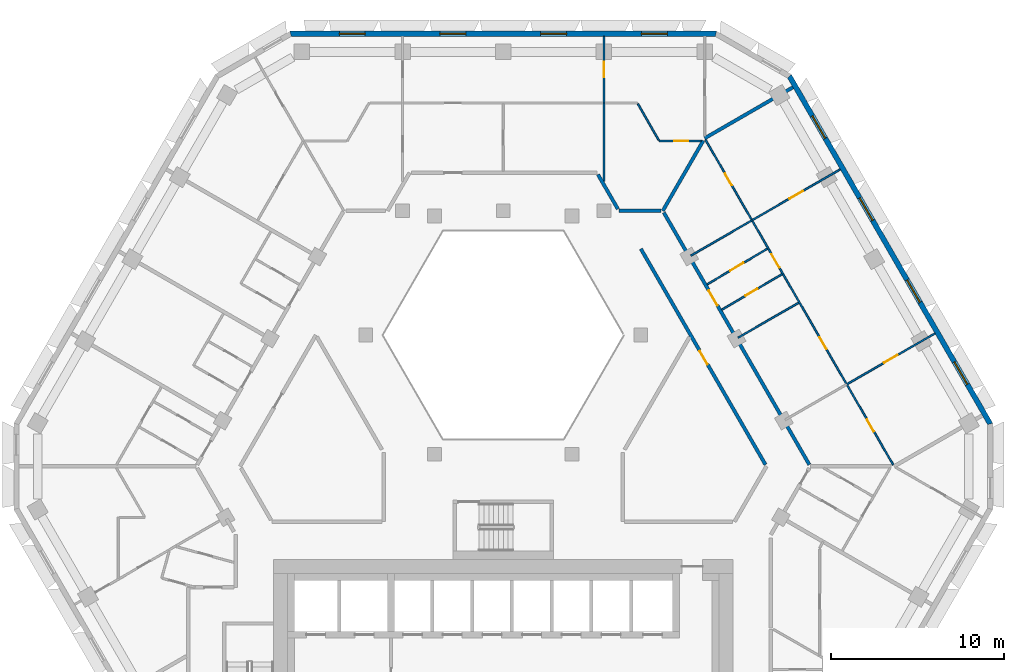
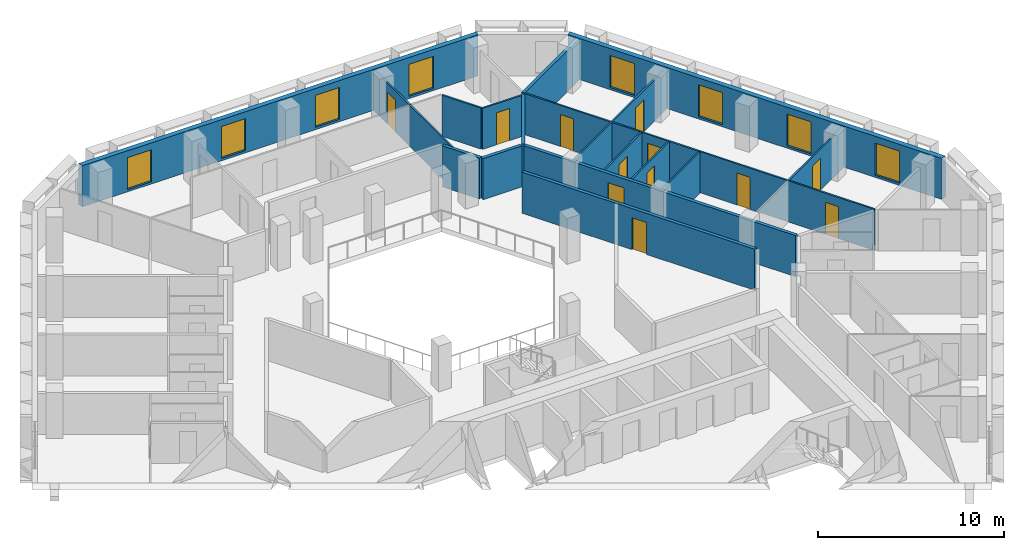
# One storey, part 8 of 15: 19 walls, 12 doors, 8 windows, 20 openings.
"""IFC4 building model written with IfcOpenShell, lengths in metres."""

from ifc_helpers import new_model, si_unit, direction, frame, frame_2d, origin, place, context, subcontext, project, spatial, polyline, rectangle, outline, extrude, material, layer, layer_set, type_object, element, fill, save


model = new_model("IFC4")

# Units and contexts
model_context = context("Model", 3, precision=1e-05, world=origin(), true_north=direction((0.0, 1.0)))
body_context = subcontext(model_context, "Body", "Model", "MODEL_VIEW")
ifc_project = project(units=[si_unit("LENGTHUNIT", "METRE"), si_unit("AREAUNIT", "SQUARE_METRE"), si_unit("VOLUMEUNIT", "CUBIC_METRE"), si_unit("PLANEANGLEUNIT", "RADIAN"), si_unit("MASSUNIT", "GRAM", prefix="KILO")], contexts=[model_context])

# Site, building, storey
site_placement = place(None, origin())
site = spatial("IfcSite", under=ifc_project, at=site_placement, CompositionType="ELEMENT")
building_placement = place(site_placement, origin())
building = spatial("IfcBuilding", under=site, at=building_placement, Name="Beryl Residences", CompositionType="ELEMENT")
storey_placement = place(building_placement, frame((0.0, 0.0, 147.60009765625)))
storey = spatial("IfcBuildingStorey", under=building, at=storey_placement, Name="L45", CompositionType="ELEMENT", Elevation=147.60009765625)

# Wall, openings, windows
ifc_material_1 = material(Name="Composite metal panel with mineral wool insulation")
ifc_layer_1 = layer(ifc_material_1, 0.300048828125)
ifc_layer_set_1 = layer_set([ifc_layer_1], Name="ES1 pale metal composite panel wall 300 mm")
wall_type_1 = type_object("IfcWallType", Name="ES1 pale metal composite panel wall 300 mm", PredefinedType="SOLIDWALL", material=ifc_layer_set_1)
wall_1_placement = place(storey_placement, frame((12.35498046875, 25.449951171875, 0.0), z_axis=(0.0, 0.0, 1.0), x_axis=(-1.0, 0.0, 0.0)))
wall_1 = element("IfcWall", 1, at=wall_1_placement, inside=storey, type_object=wall_type_1, Name="ES1 external wall L45 N", PredefinedType="SOLIDWALL", context=body_context, shape_type="SweptSolid", body=[
    extrude(outline(polyline([(0.0, -0.14990234375), (24.7099609375, -0.14990234375), (24.629638671875, 0.14990234375), (0.080322265625, 0.14990234375), (0.0, -0.14990234375)])), origin(), (0.0, 0.0, 1.0), 2.699951171875),
])
opening_1_placement = place(wall_1_placement, frame((2.85791015625, 0.0, 0.14990234375)))
opening_1 = element("IfcOpeningElement", 2, at=opening_1_placement, cuts=wall_1, Name="Opening W1", PredefinedType="OPENING", context=body_context, shape_type="SweptSolid", body=[
    extrude(rectangle(XDim=1.5, YDim=2.10009765625, at=frame_2d((0.75, 1.050048828125))), frame((0.0, 0.159912109375, 0.0), z_axis=(0.0, -1.0, 0.0), x_axis=(1.0, 0.0, 0.0)), (0.0, 0.0, 1.0), 0.320068359375),
])
opening_2_placement = place(wall_1_placement, frame((8.68896484375, 0.0, 0.14990234375)))
opening_2 = element("IfcOpeningElement", 3, at=opening_2_placement, cuts=wall_1, Name="Opening W1", PredefinedType="OPENING", context=body_context, shape_type="SweptSolid", body=[
    extrude(rectangle(XDim=1.5, YDim=2.10009765625, at=frame_2d((0.75, 1.050048828125))), frame((0.0, 0.159912109375, 0.0), z_axis=(0.0, -1.0, 0.0), x_axis=(1.0, 0.0, 0.0)), (0.0, 0.0, 1.0), 0.320068359375),
])
opening_3_placement = place(wall_1_placement, frame((14.52099609375, 0.0, 0.14990234375)))
opening_3 = element("IfcOpeningElement", 4, at=opening_3_placement, cuts=wall_1, Name="Opening W1", PredefinedType="OPENING", context=body_context, shape_type="SweptSolid", body=[
    extrude(rectangle(XDim=1.5, YDim=2.10009765625, at=frame_2d((0.75, 1.050048828125))), frame((0.0, 0.159912109375, 0.0), z_axis=(0.0, -1.0, 0.0), x_axis=(1.0, 0.0, 0.0)), (0.0, 0.0, 1.0), 0.320068359375),
])
opening_4_placement = place(wall_1_placement, frame((20.35205078125, 0.0, 0.14990234375)))
opening_4 = element("IfcOpeningElement", 5, at=opening_4_placement, cuts=wall_1, Name="Opening W1", PredefinedType="OPENING", context=body_context, shape_type="SweptSolid", body=[
    extrude(rectangle(XDim=1.5, YDim=2.10009765625, at=frame_2d((0.75, 1.050048828125))), frame((0.0, 0.159912109375, 0.0), z_axis=(0.0, -1.0, 0.0), x_axis=(1.0, 0.0, 0.0)), (0.0, 0.0, 1.0), 0.320068359375),
])
ifc_material_2 = material(Name="Aluminium and clear glass", Category="aluminium")
window_type = type_object("IfcWindowType", Name="W1 cell window 1500 x 2100 mm", PartitioningType="SINGLE_PANEL", PredefinedType="WINDOW", material=ifc_material_2)
window_1_placement = place(opening_1_placement, origin())
window_1 = element("IfcWindow", 6, at=window_1_placement, inside=storey, type_object=window_type, Name="W1 window L45 N 2", OverallHeight=2.10009765625, OverallWidth=1.5, PartitioningType="SINGLE_PANEL", PredefinedType="WINDOW", context=body_context, shape_type="SweptSolid", body=[
    extrude(rectangle(XDim=1.5, YDim=2.10009765625, at=frame_2d((0.75, 1.050048828125))), frame((0.0, 0.030029296875, 0.0), z_axis=(0.0, -1.0, 0.0), x_axis=(1.0, 0.0, 0.0)), (0.0, 0.0, 1.0), 0.06005859375),
])
fill(opening_1, window_1)
window_2_placement = place(opening_2_placement, origin())
window_2 = element("IfcWindow", 7, at=window_2_placement, inside=storey, type_object=window_type, Name="W1 window L45 N 4", OverallHeight=2.10009765625, OverallWidth=1.5, PartitioningType="SINGLE_PANEL", PredefinedType="WINDOW", context=body_context, shape_type="SweptSolid", body=[
    extrude(rectangle(XDim=1.5, YDim=2.10009765625, at=frame_2d((0.75, 1.050048828125))), frame((0.0, 0.030029296875, 0.0), z_axis=(0.0, -1.0, 0.0), x_axis=(1.0, 0.0, 0.0)), (0.0, 0.0, 1.0), 0.06005859375),
])
fill(opening_2, window_2)
window_3_placement = place(opening_3_placement, origin())
window_3 = element("IfcWindow", 8, at=window_3_placement, inside=storey, type_object=window_type, Name="W1 window L45 N 6", OverallHeight=2.10009765625, OverallWidth=1.5, PartitioningType="SINGLE_PANEL", PredefinedType="WINDOW", context=body_context, shape_type="SweptSolid", body=[
    extrude(rectangle(XDim=1.5, YDim=2.10009765625, at=frame_2d((0.75, 1.050048828125))), frame((0.0, 0.030029296875, 0.0), z_axis=(0.0, -1.0, 0.0), x_axis=(1.0, 0.0, 0.0)), (0.0, 0.0, 1.0), 0.06005859375),
])
fill(opening_3, window_3)
window_4_placement = place(opening_4_placement, origin())
window_4 = element("IfcWindow", 9, at=window_4_placement, inside=storey, type_object=window_type, Name="W1 window L45 N 8", OverallHeight=2.10009765625, OverallWidth=1.5, PartitioningType="SINGLE_PANEL", PredefinedType="WINDOW", context=body_context, shape_type="SweptSolid", body=[
    extrude(rectangle(XDim=1.5, YDim=2.10009765625, at=frame_2d((0.75, 1.050048828125))), frame((0.0, 0.030029296875, 0.0), z_axis=(0.0, -1.0, 0.0), x_axis=(1.0, 0.0, 0.0)), (0.0, 0.0, 1.0), 0.06005859375),
])
fill(opening_4, window_4)

wall_2_placement = place(storey_placement, frame((28.218017578125, 2.824951171875, 0.0), z_axis=(0.0, 0.0, 1.0), x_axis=(-0.500020536353, 0.866013546791, 0.0)))
wall_2 = element("IfcWall", 10, at=wall_2_placement, inside=storey, type_object=wall_type_1, Name="ES1 external wall L45 NE", PredefinedType="SOLIDWALL", context=body_context, shape_type="SweptSolid", body=[
    extrude(outline(polyline([(0.0, -0.14990234375), (23.3251953125, -0.14990234375), (23.244873046875, 0.14990234375), (0.080322265625, 0.14990234375), (0.0, -0.14990234375)])), origin(), (0.0, 0.0, 1.0), 2.699951171875),
])
opening_5_placement = place(wall_2_placement, frame((2.68505859375, 0.0, 0.14990234375)))
opening_5 = element("IfcOpeningElement", 11, at=opening_5_placement, cuts=wall_2, Name="Opening W1", PredefinedType="OPENING", context=body_context, shape_type="SweptSolid", body=[
    extrude(rectangle(XDim=1.5, YDim=2.10009765625, at=frame_2d((0.75, 1.050048828125))), frame((0.0, 0.159912109375, 0.0), z_axis=(0.0, -1.0, 0.0), x_axis=(1.0, 0.0, 0.0)), (0.0, 0.0, 1.0), 0.320068359375),
])
opening_6_placement = place(wall_2_placement, frame((8.169921875, 0.0, 0.14990234375)))
opening_6 = element("IfcOpeningElement", 12, at=opening_6_placement, cuts=wall_2, Name="Opening W1", PredefinedType="OPENING", context=body_context, shape_type="SweptSolid", body=[
    extrude(rectangle(XDim=1.5, YDim=2.10009765625, at=frame_2d((0.75, 1.050048828125))), frame((0.0, 0.159912109375, 0.0), z_axis=(0.0, -1.0, 0.0), x_axis=(1.0, 0.0, 0.0)), (0.0, 0.0, 1.0), 0.320068359375),
])
opening_7_placement = place(wall_2_placement, frame((13.655029296875, 0.0, 0.14990234375)))
opening_7 = element("IfcOpeningElement", 13, at=opening_7_placement, cuts=wall_2, Name="Opening W1", PredefinedType="OPENING", context=body_context, shape_type="SweptSolid", body=[
    extrude(rectangle(XDim=1.5, YDim=2.10009765625, at=frame_2d((0.75, 1.050048828125))), frame((0.0, 0.159912109375, 0.0), z_axis=(0.0, -1.0, 0.0), x_axis=(1.0, 0.0, 0.0)), (0.0, 0.0, 1.0), 0.320068359375),
])
opening_8_placement = place(wall_2_placement, frame((19.139892578125, 0.0, 0.14990234375)))
opening_8 = element("IfcOpeningElement", 14, at=opening_8_placement, cuts=wall_2, Name="Opening W1", PredefinedType="OPENING", context=body_context, shape_type="SweptSolid", body=[
    extrude(rectangle(XDim=1.5, YDim=2.10009765625, at=frame_2d((0.75, 1.050048828125))), frame((0.0, 0.159912109375, 0.0), z_axis=(0.0, -1.0, 0.0), x_axis=(1.0, 0.0, 0.0)), (0.0, 0.0, 1.0), 0.320068359375),
])
window_5_placement = place(opening_5_placement, origin())
window_5 = element("IfcWindow", 15, at=window_5_placement, inside=storey, type_object=window_type, Name="W1 window L45 NE 2", OverallHeight=2.10009765625, OverallWidth=1.5, PartitioningType="SINGLE_PANEL", PredefinedType="WINDOW", context=body_context, shape_type="SweptSolid", body=[
    extrude(rectangle(XDim=1.5, YDim=2.10009765625, at=frame_2d((0.75, 1.050048828125))), frame((0.0, 0.030029296875, 0.0), z_axis=(0.0, -1.0, 0.0), x_axis=(1.0, 0.0, 0.0)), (0.0, 0.0, 1.0), 0.06005859375),
])
fill(opening_5, window_5)
window_6_placement = place(opening_6_placement, origin())
window_6 = element("IfcWindow", 16, at=window_6_placement, inside=storey, type_object=window_type, Name="W1 window L45 NE 4", OverallHeight=2.10009765625, OverallWidth=1.5, PartitioningType="SINGLE_PANEL", PredefinedType="WINDOW", context=body_context, shape_type="SweptSolid", body=[
    extrude(rectangle(XDim=1.5, YDim=2.10009765625, at=frame_2d((0.75, 1.050048828125))), frame((0.0, 0.030029296875, 0.0), z_axis=(0.0, -1.0, 0.0), x_axis=(1.0, 0.0, 0.0)), (0.0, 0.0, 1.0), 0.06005859375),
])
fill(opening_6, window_6)
window_7_placement = place(opening_7_placement, origin())
window_7 = element("IfcWindow", 17, at=window_7_placement, inside=storey, type_object=window_type, Name="W1 window L45 NE 6", OverallHeight=2.10009765625, OverallWidth=1.5, PartitioningType="SINGLE_PANEL", PredefinedType="WINDOW", context=body_context, shape_type="SweptSolid", body=[
    extrude(rectangle(XDim=1.5, YDim=2.10009765625, at=frame_2d((0.75, 1.050048828125))), frame((0.0, 0.030029296875, 0.0), z_axis=(0.0, -1.0, 0.0), x_axis=(1.0, 0.0, 0.0)), (0.0, 0.0, 1.0), 0.06005859375),
])
fill(opening_7, window_7)
window_8_placement = place(opening_8_placement, origin())
window_8 = element("IfcWindow", 18, at=window_8_placement, inside=storey, type_object=window_type, Name="W1 window L45 NE 8", OverallHeight=2.10009765625, OverallWidth=1.5, PartitioningType="SINGLE_PANEL", PredefinedType="WINDOW", context=body_context, shape_type="SweptSolid", body=[
    extrude(rectangle(XDim=1.5, YDim=2.10009765625, at=frame_2d((0.75, 1.050048828125))), frame((0.0, 0.030029296875, 0.0), z_axis=(0.0, -1.0, 0.0), x_axis=(1.0, 0.0, 0.0)), (0.0, 0.0, 1.0), 0.06005859375),
])
fill(opening_8, window_8)

# Wall
ifc_material_3 = material(Name="Gypsum board partition on steel studs", Category="steel")
ifc_layer_2 = layer(ifc_material_3, 0.10009765625)
ifc_layer_set_2 = layer_set([ifc_layer_2], Name="PT1 partition 100 mm gypsum board on steel studs")
wall_type_2 = type_object("IfcWallType", Name="PT1 partition 100 mm gypsum board on steel studs", PredefinedType="PARTITIONING", material=ifc_layer_set_2)
wall_3_placement = place(storey_placement, frame((7.7919921875, 21.39599609375, 0.0), z_axis=(0.0, 0.0, 1.0), x_axis=(0.50012328804, -0.865954211699, 0.0)))
element("IfcWall", 19, at=wall_3_placement, inside=storey, type_object=wall_type_2, Name="Wall PT1 L45 003", PredefinedType="PARTITIONING", context=body_context, shape_type="SweptSolid", body=[
    extrude(rectangle(XDim=2.42529296875, YDim=0.10009765625, at=frame_2d((1.212646484375, 0.0))), origin(), (0.0, 0.0, 1.0), 2.699951171875),
])

# Wall, openings, doors
wall_4_placement = place(storey_placement, frame((11.712890625, 19.31298828125, 0.0), z_axis=(0.0, 0.0, 1.0), x_axis=(0.499999523185, -0.866025679073, 0.0)))
wall_4 = element("IfcWall", 20, at=wall_4_placement, inside=storey, type_object=wall_type_2, Name="Wall PT1 L45 004", PredefinedType="PARTITIONING", context=body_context, shape_type="SweptSolid", body=[
    extrude(rectangle(XDim=21.73828125, YDim=0.10009765625, at=frame_2d((10.869140625, 0.0))), origin(), (0.0, 0.0, 1.0), 2.699951171875),
])
opening_9_placement = place(wall_4_placement, frame((7.654052734375, 0.0, 0.0)))
opening_9 = element("IfcOpeningElement", 21, at=opening_9_placement, cuts=wall_4, Name="Opening D1322", PredefinedType="OPENING", context=body_context, shape_type="SweptSolid", body=[
    extrude(rectangle(XDim=0.89990234375, YDim=2.10009765625, at=frame_2d((0.449951171875, 1.050048828125))), frame((0.0, 0.06005859375, 0.0), z_axis=(0.0, -1.0, 0.0), x_axis=(1.0, 0.0, 0.0)), (0.0, 0.0, 1.0), 0.1201171875),
])
opening_10_placement = place(wall_4_placement, frame((13.201904296875, 0.0, 0.0)))
opening_10 = element("IfcOpeningElement", 22, at=opening_10_placement, cuts=wall_4, Name="Opening D1325", PredefinedType="OPENING", context=body_context, shape_type="SweptSolid", body=[
    extrude(rectangle(XDim=0.800048828125, YDim=2.10009765625, at=frame_2d((0.39990234375, 1.050048828125))), frame((0.0, 0.06005859375, 0.0), z_axis=(0.0, -1.0, 0.0), x_axis=(1.0, 0.0, 0.0)), (0.0, 0.0, 1.0), 0.1201171875),
])
opening_11_placement = place(wall_4_placement, frame((2.241943359375, 0.0, 0.0)))
opening_11 = element("IfcOpeningElement", 23, at=opening_11_placement, cuts=wall_4, Name="Opening D1326", PredefinedType="OPENING", context=body_context, shape_type="SweptSolid", body=[
    extrude(rectangle(XDim=0.800048828125, YDim=2.10009765625, at=frame_2d((0.39990234375, 1.050048828125))), frame((0.0, 0.06005859375, 0.0), z_axis=(0.0, -1.0, 0.0), x_axis=(1.0, 0.0, 0.0)), (0.0, 0.0, 1.0), 0.1201171875),
])
opening_12_placement = place(wall_4_placement, frame((18.696044921875, 0.0, 0.0)))
opening_12 = element("IfcOpeningElement", 24, at=opening_12_placement, cuts=wall_4, Name="Opening D1327", PredefinedType="OPENING", context=body_context, shape_type="SweptSolid", body=[
    extrude(rectangle(XDim=0.800048828125, YDim=2.10009765625, at=frame_2d((0.39990234375, 1.050048828125))), frame((0.0, 0.06005859375, 0.0), z_axis=(0.0, -1.0, 0.0), x_axis=(1.0, 0.0, 0.0)), (0.0, 0.0, 1.0), 0.1201171875),
])
ifc_material_4 = material(Name="Timber door leaf", Category="wood")
door_type_1 = type_object("IfcDoorType", Name="D2 room door 900 x 2100 mm", OperationType="SINGLE_SWING_LEFT", PredefinedType="DOOR", material=ifc_material_4)
door_1_placement = place(opening_9_placement, origin())
door_1 = element("IfcDoor", 25, at=door_1_placement, inside=storey, type_object=door_type_1, Name="Door D1322 L45 001", OperationType="SINGLE_SWING_RIGHT", OverallHeight=2.10009765625, OverallWidth=0.89990234375, PredefinedType="DOOR", context=body_context, shape_type="SweptSolid", body=[
    extrude(rectangle(XDim=0.89990234375, YDim=2.10009765625, at=frame_2d((0.449951171875, 1.050048828125))), frame((0.0, 0.02490234375, 0.0), z_axis=(0.0, -1.0, 0.0), x_axis=(1.0, 0.0, 0.0)), (0.0, 0.0, 1.0), 0.050048828125),
])
fill(opening_9, door_1)
ifc_material_5 = material(Name="Timber door leaf", Category="wood")
door_type_2 = type_object("IfcDoorType", Name="D3 bathroom door 800 x 2100 mm", OperationType="SINGLE_SWING_LEFT", PredefinedType="DOOR", material=ifc_material_5)
door_2_placement = place(opening_10_placement, origin())
door_2 = element("IfcDoor", 26, at=door_2_placement, inside=storey, type_object=door_type_2, Name="Door D1325 L45 001", OperationType="SINGLE_SWING_LEFT", OverallHeight=2.10009765625, OverallWidth=0.800048828125, PredefinedType="DOOR", context=body_context, shape_type="SweptSolid", body=[
    extrude(rectangle(XDim=0.800048828125, YDim=2.10009765625, at=frame_2d((0.39990234375, 1.050048828125))), frame((0.0, 0.02490234375, 0.0), z_axis=(0.0, -1.0, 0.0), x_axis=(1.0, 0.0, 0.0)), (0.0, 0.0, 1.0), 0.050048828125),
])
fill(opening_10, door_2)
door_3_placement = place(opening_11_placement, origin())
door_3 = element("IfcDoor", 27, at=door_3_placement, inside=storey, type_object=door_type_2, Name="Door D1326 L45 001", OperationType="SINGLE_SWING_RIGHT", OverallHeight=2.10009765625, OverallWidth=0.800048828125, PredefinedType="DOOR", context=body_context, shape_type="SweptSolid", body=[
    extrude(rectangle(XDim=0.800048828125, YDim=2.10009765625, at=frame_2d((0.39990234375, 1.050048828125))), frame((0.0, 0.02490234375, 0.0), z_axis=(0.0, -1.0, 0.0), x_axis=(1.0, 0.0, 0.0)), (0.0, 0.0, 1.0), 0.050048828125),
])
fill(opening_11, door_3)
door_4_placement = place(opening_12_placement, origin())
door_4 = element("IfcDoor", 28, at=door_4_placement, inside=storey, type_object=door_type_2, Name="Door D1327 L45 001", OperationType="SINGLE_SWING_LEFT", OverallHeight=2.10009765625, OverallWidth=0.800048828125, PredefinedType="DOOR", context=body_context, shape_type="SweptSolid", body=[
    extrude(rectangle(XDim=0.800048828125, YDim=2.10009765625, at=frame_2d((0.39990234375, 1.050048828125))), frame((0.0, 0.02490234375, 0.0), z_axis=(0.0, -1.0, 0.0), x_axis=(1.0, 0.0, 0.0)), (0.0, 0.0, 1.0), 0.050048828125),
])
fill(opening_12, door_4)

# Wall, opening, door
wall_5_placement = place(storey_placement, frame((9.032958984375, 19.24609375, 0.0), z_axis=(0.0, 0.0, 1.0), x_axis=(1.0, 0.0, 0.0)))
wall_5 = element("IfcWall", 29, at=wall_5_placement, inside=storey, type_object=wall_type_2, Name="Wall PT1 L45 026", PredefinedType="PARTITIONING", context=body_context, shape_type="SweptSolid", body=[
    extrude(rectangle(XDim=2.425048828125, YDim=0.10009765625, at=frame_2d((1.21240234375, 0.0))), origin(), (0.0, 0.0, 1.0), 2.699951171875),
])
opening_13_placement = place(wall_5_placement, frame((0.8701171875, 0.0, 0.0)))
opening_13 = element("IfcOpeningElement", 30, at=opening_13_placement, cuts=wall_5, Name="Opening D1336", PredefinedType="OPENING", context=body_context, shape_type="SweptSolid", body=[
    extrude(rectangle(XDim=0.800048828125, YDim=2.10009765625, at=frame_2d((0.39990234375, 1.050048828125))), frame((0.0, 0.06005859375, 0.0), z_axis=(0.0, -1.0, 0.0), x_axis=(1.0, 0.0, 0.0)), (0.0, 0.0, 1.0), 0.1201171875),
])
door_5_placement = place(opening_13_placement, origin())
door_5 = element("IfcDoor", 31, at=door_5_placement, inside=storey, type_object=door_type_2, Name="Door D1336 L45 001", OperationType="SINGLE_SWING_RIGHT", OverallHeight=2.10009765625, OverallWidth=0.800048828125, PredefinedType="DOOR", context=body_context, shape_type="SweptSolid", body=[
    extrude(rectangle(XDim=0.800048828125, YDim=2.10009765625, at=frame_2d((0.39990234375, 1.050048828125))), frame((0.0, 0.02490234375, 0.0), z_axis=(0.0, -1.0, 0.0), x_axis=(1.0, 0.0, 0.0)), (0.0, 0.0, 1.0), 0.050048828125),
])
fill(opening_13, door_5)

# Walls
wall_6_placement = place(storey_placement, frame((5.8310546875, 16.89990234375, 0.0), z_axis=(0.0, 0.0, 1.0), x_axis=(0.0, 1.0, 0.0)))
element("IfcWall", 32, at=wall_6_placement, inside=storey, type_object=wall_type_2, Name="Wall PT1 L45 038", PredefinedType="PARTITIONING", context=body_context, shape_type="SweptSolid", body=[
    extrude(rectangle(XDim=4.546142578125, YDim=0.10009765625, at=frame_2d((2.27294921875, 0.0))), origin(), (0.0, 0.0, 1.0), 2.699951171875),
])
wall_7_placement = place(storey_placement, frame((13.596923828125, 7.85009765625, 0.0), z_axis=(0.0, 0.0, 1.0), x_axis=(0.866015917575, 0.500016430238, 0.0)))
element("IfcWall", 33, at=wall_7_placement, inside=storey, type_object=wall_type_2, Name="Wall PT1 L45 048", PredefinedType="PARTITIONING", context=body_context, shape_type="SweptSolid", body=[
    extrude(rectangle(XDim=4.049560546875, YDim=0.10009765625, at=frame_2d((2.02490234375, 0.0))), origin(), (0.0, 0.0, 1.0), 2.699951171875),
])
wall_8_placement = place(storey_placement, frame((10.85400390625, 12.60009765625, 0.0), z_axis=(0.0, 0.0, 1.0), x_axis=(0.86606561423, 0.499930346997, 0.0)))
element("IfcWall", 34, at=wall_8_placement, inside=storey, type_object=wall_type_2, Name="Wall PT1 L45 049", PredefinedType="PARTITIONING", context=body_context, shape_type="SweptSolid", body=[
    extrude(rectangle(XDim=4.10009765625, YDim=0.10009765625, at=frame_2d((2.050048828125, 0.0))), origin(), (0.0, 0.0, 1.0), 2.699951171875),
])

# Wall, opening, door
wall_9_placement = place(storey_placement, frame((11.81201171875, 10.94189453125, 0.0), z_axis=(0.0, 0.0, 1.0), x_axis=(0.860404104761, 0.509612378687, 0.0)))
wall_9 = element("IfcWall", 35, at=wall_9_placement, inside=storey, type_object=wall_type_2, Name="Wall PT1 L45 051", PredefinedType="PARTITIONING", context=body_context, shape_type="SweptSolid", body=[
    extrude(rectangle(XDim=4.050537109375, YDim=0.10009765625, at=frame_2d((2.025390625, 0.0))), origin(), (0.0, 0.0, 1.0), 2.699951171875),
])
opening_14_placement = place(wall_9_placement, frame((1.550048828125, 0.0, 0.0)))
opening_14 = element("IfcOpeningElement", 36, at=opening_14_placement, cuts=wall_9, Name="Opening D1321", PredefinedType="OPENING", context=body_context, shape_type="SweptSolid", body=[
    extrude(rectangle(XDim=0.89990234375, YDim=2.10009765625, at=frame_2d((0.449951171875, 1.050048828125))), frame((0.0, 0.06005859375, 0.0), z_axis=(0.0, -1.0, 0.0), x_axis=(1.0, 0.0, 0.0)), (0.0, 0.0, 1.0), 0.1201171875),
])
door_6_placement = place(opening_14_placement, origin())
door_6 = element("IfcDoor", 37, at=door_6_placement, inside=storey, type_object=door_type_1, Name="Door D1321 L45 001", OperationType="SINGLE_SWING_LEFT", OverallHeight=2.10009765625, OverallWidth=0.89990234375, PredefinedType="DOOR", context=body_context, shape_type="SweptSolid", body=[
    extrude(rectangle(XDim=0.89990234375, YDim=2.10009765625, at=frame_2d((0.449951171875, 1.050048828125))), frame((0.0, 0.02490234375, 0.0), z_axis=(0.0, -1.0, 0.0), x_axis=(1.0, 0.0, 0.0)), (0.0, 0.0, 1.0), 0.050048828125),
])
fill(opening_14, door_6)

wall_10_placement = place(storey_placement, frame((12.662109375, 9.469970703125, 0.0), z_axis=(0.0, 0.0, 1.0), x_axis=(0.860520594262, 0.509415652341, 0.0)))
wall_10 = element("IfcWall", 38, at=wall_10_placement, inside=storey, type_object=wall_type_2, Name="Wall PT1 L45 052", PredefinedType="PARTITIONING", context=body_context, shape_type="SweptSolid", body=[
    extrude(rectangle(XDim=4.0498046875, YDim=0.10009765625, at=frame_2d((2.02490234375, 0.0))), origin(), (0.0, 0.0, 1.0), 2.699951171875),
])
opening_15_placement = place(wall_10_placement, frame((1.60009765625, 0.0, 0.0)))
opening_15 = element("IfcOpeningElement", 39, at=opening_15_placement, cuts=wall_10, Name="Opening D1320", PredefinedType="OPENING", context=body_context, shape_type="SweptSolid", body=[
    extrude(rectangle(XDim=0.800048828125, YDim=2.10009765625, at=frame_2d((0.39990234375, 1.050048828125))), frame((0.0, 0.06005859375, 0.0), z_axis=(0.0, -1.0, 0.0), x_axis=(1.0, 0.0, 0.0)), (0.0, 0.0, 1.0), 0.1201171875),
])
door_7_placement = place(opening_15_placement, origin())
door_7 = element("IfcDoor", 40, at=door_7_placement, inside=storey, type_object=door_type_2, Name="Door D1320 L45 001", OperationType="SINGLE_SWING_RIGHT", OverallHeight=2.10009765625, OverallWidth=0.800048828125, PredefinedType="DOOR", context=body_context, shape_type="SweptSolid", body=[
    extrude(rectangle(XDim=0.800048828125, YDim=2.10009765625, at=frame_2d((0.39990234375, 1.050048828125))), frame((0.0, 0.02490234375, 0.0), z_axis=(0.0, -1.0, 0.0), x_axis=(1.0, 0.0, 0.0)), (0.0, 0.0, 1.0), 0.050048828125),
])
fill(opening_15, door_7)

wall_11_placement = place(storey_placement, frame((19.889892578125, 5.14990234375, 0.0), z_axis=(0.0, 0.0, 1.0), x_axis=(0.865993310977, 0.500055582255, 0.0)))
wall_11 = element("IfcWall", 41, at=wall_11_placement, inside=storey, type_object=wall_type_2, Name="Wall PT1 L45 053", PredefinedType="PARTITIONING", context=body_context, shape_type="SweptSolid", body=[
    extrude(rectangle(XDim=5.899658203125, YDim=0.10009765625, at=frame_2d((2.94970703125, 0.0))), origin(), (0.0, 0.0, 1.0), 2.699951171875),
])
opening_16_placement = place(wall_11_placement, frame((2.5, 0.0, 0.0)))
opening_16 = element("IfcOpeningElement", 42, at=opening_16_placement, cuts=wall_11, Name="Opening D1323", PredefinedType="OPENING", context=body_context, shape_type="SweptSolid", body=[
    extrude(rectangle(XDim=0.89990234375, YDim=2.10009765625, at=frame_2d((0.449951171875, 1.050048828125))), frame((0.0, 0.06005859375, 0.0), z_axis=(0.0, -1.0, 0.0), x_axis=(1.0, 0.0, 0.0)), (0.0, 0.0, 1.0), 0.1201171875),
])
door_8_placement = place(opening_16_placement, origin())
door_8 = element("IfcDoor", 43, at=door_8_placement, inside=storey, type_object=door_type_1, Name="Door D1323 L45 001", OperationType="SINGLE_SWING_LEFT", OverallHeight=2.10009765625, OverallWidth=0.89990234375, PredefinedType="DOOR", context=body_context, shape_type="SweptSolid", body=[
    extrude(rectangle(XDim=0.89990234375, YDim=2.10009765625, at=frame_2d((0.449951171875, 1.050048828125))), frame((0.0, 0.02490234375, 0.0), z_axis=(0.0, -1.0, 0.0), x_axis=(1.0, 0.0, 0.0)), (0.0, 0.0, 1.0), 0.050048828125),
])
fill(opening_16, door_8)

wall_12_placement = place(storey_placement, frame((14.405029296875, 14.64990234375, 0.0), z_axis=(0.0, 0.0, 1.0), x_axis=(0.866054644421, 0.499949350311, 0.0)))
wall_12 = element("IfcWall", 44, at=wall_12_placement, inside=storey, type_object=wall_type_2, Name="Wall PT1 L45 054", PredefinedType="PARTITIONING", context=body_context, shape_type="SweptSolid", body=[
    extrude(rectangle(XDim=5.89892578125, YDim=0.10009765625, at=frame_2d((2.949462890625, 0.0))), origin(), (0.0, 0.0, 1.0), 2.699951171875),
])
opening_17_placement = place(wall_12_placement, frame((2.5, 0.0, 0.0)))
opening_17 = element("IfcOpeningElement", 45, at=opening_17_placement, cuts=wall_12, Name="Opening D1324", PredefinedType="OPENING", context=body_context, shape_type="SweptSolid", body=[
    extrude(rectangle(XDim=0.89990234375, YDim=2.10009765625, at=frame_2d((0.449951171875, 1.050048828125))), frame((0.0, 0.06005859375, 0.0), z_axis=(0.0, -1.0, 0.0), x_axis=(1.0, 0.0, 0.0)), (0.0, 0.0, 1.0), 0.1201171875),
])
door_9_placement = place(opening_17_placement, origin())
door_9 = element("IfcDoor", 46, at=door_9_placement, inside=storey, type_object=door_type_1, Name="Door D1324 L45 001", OperationType="SINGLE_SWING_RIGHT", OverallHeight=2.10009765625, OverallWidth=0.89990234375, PredefinedType="DOOR", context=body_context, shape_type="SweptSolid", body=[
    extrude(rectangle(XDim=0.89990234375, YDim=2.10009765625, at=frame_2d((0.449951171875, 1.050048828125))), frame((0.0, 0.02490234375, 0.0), z_axis=(0.0, -1.0, 0.0), x_axis=(1.0, 0.0, 0.0)), (0.0, 0.0, 1.0), 0.050048828125),
])
fill(opening_17, door_9)

wall_13_placement = place(storey_placement, frame((5.8310546875, 21.446044921875, 0.0), z_axis=(0.0, 0.0, 1.0), x_axis=(0.0, 1.0, 0.0)))
wall_13 = element("IfcWall", 47, at=wall_13_placement, inside=storey, type_object=wall_type_2, Name="Wall PT1 L45 055", PredefinedType="PARTITIONING", context=body_context, shape_type="SweptSolid", body=[
    extrude(rectangle(XDim=3.85400390625, YDim=0.10009765625, at=frame_2d((1.927001953125, 0.0))), origin(), (0.0, 0.0, 1.0), 2.699951171875),
])
opening_18_placement = place(wall_13_placement, frame((1.47705078125, 0.0, 0.0)))
opening_18 = element("IfcOpeningElement", 48, at=opening_18_placement, cuts=wall_13, Name="Opening D1332", PredefinedType="OPENING", context=body_context, shape_type="SweptSolid", body=[
    extrude(rectangle(XDim=0.89990234375, YDim=2.10009765625, at=frame_2d((0.449951171875, 1.050048828125))), frame((0.0, 0.06005859375, 0.0), z_axis=(0.0, -1.0, 0.0), x_axis=(1.0, 0.0, 0.0)), (0.0, 0.0, 1.0), 0.1201171875),
])
door_10_placement = place(opening_18_placement, origin())
door_10 = element("IfcDoor", 49, at=door_10_placement, inside=storey, type_object=door_type_1, Name="Door D1332 L45 001", OperationType="SINGLE_SWING_RIGHT", OverallHeight=2.10009765625, OverallWidth=0.89990234375, PredefinedType="DOOR", context=body_context, shape_type="SweptSolid", body=[
    extrude(rectangle(XDim=0.89990234375, YDim=2.10009765625, at=frame_2d((0.449951171875, 1.050048828125))), frame((0.0, 0.02490234375, 0.0), z_axis=(0.0, -1.0, 0.0), x_axis=(1.0, 0.0, 0.0)), (0.0, 0.0, 1.0), 0.050048828125),
])
fill(opening_18, door_10)

# Walls
ifc_material_6 = material(Name="Acoustic double stud gypsum board wall")
ifc_layer_3 = layer(ifc_material_6, 0.199951171875)
ifc_layer_set_3 = layer_set([ifc_layer_3], Name="PT3 party wall 200 mm acoustic double stud")
wall_type_3 = type_object("IfcWallType", Name="PT3 party wall 200 mm acoustic double stud", PredefinedType="PARTITIONING", material=ifc_layer_set_3)
wall_14_placement = place(storey_placement, frame((9.238037109375, 15.199951171875, 0.0), z_axis=(0.0, 0.0, 1.0), x_axis=(0.49993863487, 0.86606083006, 0.0)))
element("IfcWall", 50, at=wall_14_placement, inside=storey, type_object=wall_type_3, Name="Wall PT3 L45 008", PredefinedType="PARTITIONING", context=body_context, shape_type="SweptSolid", body=[
    extrude(rectangle(XDim=4.6923828125, YDim=0.199951171875, at=frame_2d((2.34619140625, 0.0))), origin(), (0.0, 0.0, 1.0), 2.699951171875),
])
wall_15_placement = place(storey_placement, frame((11.6630859375, 19.39990234375, 0.0), z_axis=(0.0, 0.0, 1.0), x_axis=(0.865941558533, 0.500145196124, 0.0)))
element("IfcWall", 51, at=wall_15_placement, inside=storey, type_object=wall_type_3, Name="Wall PT3 L45 014", PredefinedType="PARTITIONING", context=body_context, shape_type="SweptSolid", body=[
    extrude(rectangle(XDim=5.898681640625, YDim=0.199951171875, at=frame_2d((2.94921875, 0.0))), origin(), (0.0, 0.0, 1.0), 2.699951171875),
])
ifc_material_7 = material(Name="Double stud gypsum board wall")
ifc_layer_4 = layer(ifc_material_7, 0.199951171875)
ifc_layer_set_4 = layer_set([ifc_layer_4], Name="PT4 corridor wall 200 mm double stud")
wall_type_4 = type_object("IfcWallType", Name="PT4 corridor wall 200 mm double stud", PredefinedType="PARTITIONING", material=ifc_layer_set_4)
wall_16_placement = place(storey_placement, frame((5.485107421875, 17.300048828125, 0.0), z_axis=(0.0, 0.0, 1.0), x_axis=(0.500027479704, -0.866009537788, 0.0)))
element("IfcWall", 52, at=wall_16_placement, inside=storey, type_object=wall_type_4, Name="Wall PT4 L45 005", PredefinedType="PARTITIONING", context=body_context, shape_type="SweptSolid", body=[
    extrude(rectangle(XDim=2.309326171875, YDim=0.199951171875, at=frame_2d((1.15478515625, 0.0))), origin(), (0.0, 0.0, 1.0), 2.699951171875),
])

# Wall, opening, door
wall_17_placement = place(storey_placement, frame((7.967041015625, 13.0, 0.0), z_axis=(0.0, 0.0, 1.0), x_axis=(0.50003774998, -0.866003607726, 0.0)))
wall_17 = element("IfcWall", 53, at=wall_17_placement, inside=storey, type_object=wall_type_4, Name="Wall PT4 L45 006", PredefinedType="PARTITIONING", context=body_context, shape_type="SweptSolid", body=[
    extrude(rectangle(XDim=14.43310546875, YDim=0.199951171875, at=frame_2d((7.216552734375, 0.0))), origin(), (0.0, 0.0, 1.0), 2.699951171875),
])
opening_19_placement = place(wall_17_placement, frame((6.823974609375, 0.0, 0.0)))
opening_19 = element("IfcOpeningElement", 54, at=opening_19_placement, cuts=wall_17, Name="Opening D1357", PredefinedType="OPENING", context=body_context, shape_type="SweptSolid", body=[
    extrude(rectangle(XDim=0.89990234375, YDim=2.10009765625, at=frame_2d((0.449951171875, 1.050048828125))), frame((0.0, 0.10986328125, 0.0), z_axis=(0.0, -1.0, 0.0), x_axis=(1.0, 0.0, 0.0)), (0.0, 0.0, 1.0), 0.219970703125),
])
door_11_placement = place(opening_19_placement, origin())
door_11 = element("IfcDoor", 55, at=door_11_placement, inside=storey, type_object=door_type_1, Name="Door D1357 L45 001", OperationType="SINGLE_SWING_LEFT", OverallHeight=2.10009765625, OverallWidth=0.89990234375, PredefinedType="DOOR", context=body_context, shape_type="SweptSolid", body=[
    extrude(rectangle(XDim=0.89990234375, YDim=2.10009765625, at=frame_2d((0.449951171875, 1.050048828125))), frame((0.0, 0.02490234375, 0.0), z_axis=(0.0, -1.0, 0.0), x_axis=(1.0, 0.0, 0.0)), (0.0, 0.0, 1.0), 0.050048828125),
])
fill(opening_19, door_11)

wall_18_placement = place(storey_placement, frame((9.2958984375, 15.10009765625, 0.0), z_axis=(0.0, 0.0, 1.0), x_axis=(0.499974024244, -0.866040400375, 0.0)))
wall_18 = element("IfcWall", 56, at=wall_18_placement, inside=storey, type_object=wall_type_4, Name="Wall PT4 L45 007", PredefinedType="PARTITIONING", context=body_context, shape_type="SweptSolid", body=[
    extrude(rectangle(XDim=16.857421875, YDim=0.199951171875, at=frame_2d((8.4287109375, 0.0))), origin(), (0.0, 0.0, 1.0), 2.699951171875),
])
opening_20_placement = place(wall_18_placement, frame((5.208984375, 0.0, 0.0)))
opening_20 = element("IfcOpeningElement", 57, at=opening_20_placement, cuts=wall_18, Name="Opening D1319", PredefinedType="OPENING", context=body_context, shape_type="SweptSolid", body=[
    extrude(rectangle(XDim=1.0, YDim=2.10009765625, at=frame_2d((0.5, 1.050048828125))), frame((0.0, 0.10986328125, 0.0), z_axis=(0.0, -1.0, 0.0), x_axis=(1.0, 0.0, 0.0)), (0.0, 0.0, 1.0), 0.219970703125),
])
ifc_material_8 = material(Name="Timber door leaf", Category="wood")
door_type_3 = type_object("IfcDoorType", Name="D1 flat entrance door 1000 x 2100 mm", OperationType="SINGLE_SWING_LEFT", PredefinedType="DOOR", material=ifc_material_8)
door_12_placement = place(opening_20_placement, origin())
door_12 = element("IfcDoor", 58, at=door_12_placement, inside=storey, type_object=door_type_3, Name="Door D1319 L45 001", OperationType="SINGLE_SWING_LEFT", OverallHeight=2.10009765625, OverallWidth=1.0, PredefinedType="DOOR", context=body_context, shape_type="SweptSolid", body=[
    extrude(rectangle(XDim=1.0, YDim=2.10009765625, at=frame_2d((0.5, 1.050048828125))), frame((0.0, 0.02490234375, 0.0), z_axis=(0.0, -1.0, 0.0), x_axis=(1.0, 0.0, 0.0)), (0.0, 0.0, 1.0), 0.050048828125),
])
fill(opening_20, door_12)

# Wall
wall_19_placement = place(storey_placement, frame((6.697021484375, 15.199951171875, 0.0), z_axis=(0.0, 0.0, 1.0), x_axis=(1.0, 0.0, 0.0)))
element("IfcWall", 59, at=wall_19_placement, inside=storey, type_object=wall_type_4, Name="Wall PT4 L45 015", PredefinedType="PARTITIONING", context=body_context, shape_type="SweptSolid", body=[
    extrude(rectangle(XDim=2.425048828125, YDim=0.199951171875, at=frame_2d((1.21240234375, 0.0))), origin(), (0.0, 0.0, 1.0), 2.699951171875),
])

save(model, "model.ifc")
